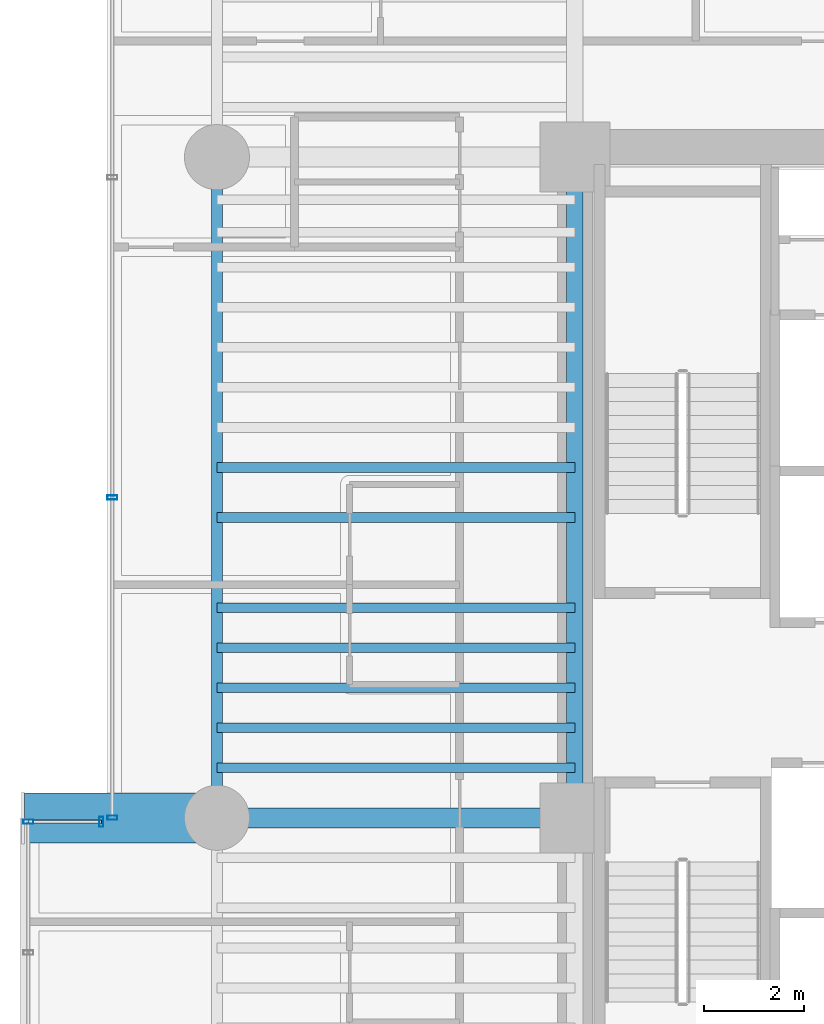
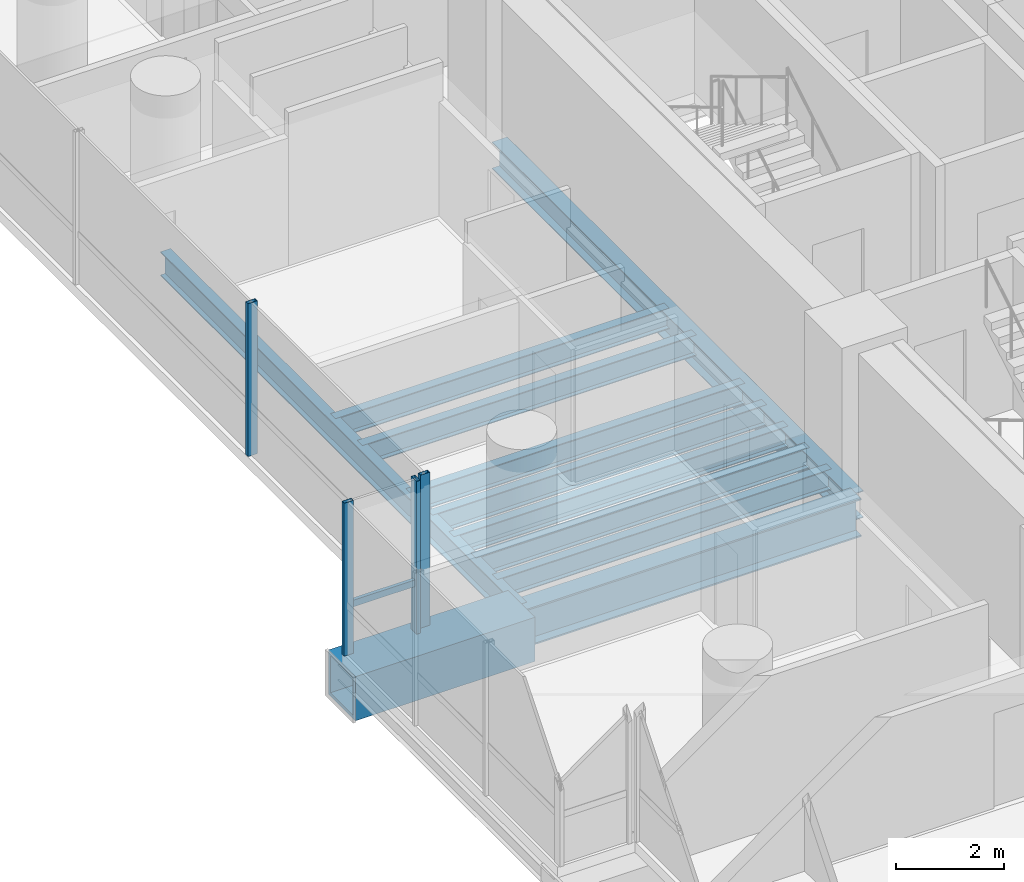
# One storey, part 8 of 41: 11 beams, 5 members, 3 elements without a shape of their own.
"""IFC4 building model written with IfcOpenShell, lengths in metres."""

from ifc_helpers import new_model, si_unit, direction, frame, origin, origin_2d, place, context, subcontext, project, spatial, hollow_rectangle, i_section, extrude, source, transform, mapped, material, material_profile, profile_set, type_object, element, aggregate, save


model = new_model("IFC4")

# Units and contexts
model_context = context("Model", 3, precision=1e-05, world=origin(), true_north=direction((0.0, 1.0)))
body_context = subcontext(model_context, "Body", "Model", "MODEL_VIEW")
ifc_project = project(units=[si_unit("LENGTHUNIT", "METRE"), si_unit("AREAUNIT", "SQUARE_METRE"), si_unit("VOLUMEUNIT", "CUBIC_METRE"), si_unit("PLANEANGLEUNIT", "RADIAN"), si_unit("MASSUNIT", "GRAM", prefix="KILO")], contexts=[model_context])

# Site, building, storey
site_placement = place(None, origin())
site = spatial("IfcSite", under=ifc_project, at=site_placement, CompositionType="ELEMENT")
building_placement = place(site_placement, origin())
building = spatial("IfcBuilding", under=site, at=building_placement, Name="Valdorenza Pilgrim Sanctuary Tower", CompositionType="ELEMENT")
storey_placement = place(building_placement, frame((0.0, 0.0, 59.300048828125)))
storey = spatial("IfcBuildingStorey", under=building, at=storey_placement, Name="L14", CompositionType="ELEMENT", Elevation=59.300048828125)

# Beams
ifc_material_1 = material(Name="Steel ASTM A992 Grade 50", Category="steel")
ifc_material_profile_1 = material_profile(ifc_material_1, i_section(OverallWidth=0.214111328125, OverallDepth=0.549072265625, WebThickness=0.0146484375, FlangeThickness=0.023681640625, at=origin_2d()), Name="W21X93")
ifc_profile_set_1 = profile_set([ifc_material_profile_1], Name="Steel ASTM A992 Grade 50")
beam_type_1 = type_object("IfcBeamType", Name="STR-BM-SPN-W21A", PredefinedType="SPANDREL", material=ifc_profile_set_1)
shared_shape_1 = source(origin(), body_context, "Body", "SweptSolid", [
    extrude(i_section(OverallWidth=0.214111328125, OverallDepth=0.549072265625, WebThickness=0.0146484375, FlangeThickness=0.023681640625, at=origin_2d()), origin(), (0.0, 0.0, 1.0), 13.2001953125),
])
beam_1_placement = place(storey_placement, frame((-29.800048828125, -2.60009765625, -0.5146484375), z_axis=(0.0, 1.0, 0.0), x_axis=(-1.0, 0.0, 0.0)))
element("IfcBeam", 1, at=beam_1_placement, inside=storey, type_object=beam_type_1, Name="L14 Spandrel Beam WA-W-M0N1", PredefinedType="SPANDREL", context=body_context, shape_type="MappedRepresentation", body=[
    mapped(shared_shape_1, transform((0.0, 0.0, 0.0), x_axis=(1.0, 0.0, 0.0), y_axis=(0.0, 1.0, 0.0), z_axis=(0.0, 0.0, 1.0), scale=1.0)),
])
ifc_material_profile_2 = material_profile(ifc_material_1, i_section(OverallWidth=0.323974609375, OverallDepth=0.611083984375, WebThickness=0.0126953125, FlangeThickness=0.01904296875, at=origin_2d()), Name="W24X104")
ifc_profile_set_2 = profile_set([ifc_material_profile_2], Name="Steel ASTM A992 Grade 50")
beam_type_2 = type_object("IfcBeamType", Name="STR-BM-GRD-W24B", PredefinedType="BEAM", material=ifc_profile_set_2)
shared_shape_2 = source(origin(), body_context, "Body", "SweptSolid", [
    extrude(i_section(OverallWidth=0.323974609375, OverallDepth=0.611083984375, WebThickness=0.0126953125, FlangeThickness=0.01904296875, at=origin_2d()), origin(), (0.0, 0.0, 1.0), 13.2001953125),
])
beam_2_placement = place(storey_placement, frame((-22.64990234375, -2.60009765625, -0.545654296875), z_axis=(0.0, 1.0, 0.0), x_axis=(-1.0, 0.0, 0.0)))
element("IfcBeam", 2, at=beam_2_placement, inside=storey, type_object=beam_type_2, Name="L14 Core Tie Girder CA-W-M0N1", PredefinedType="BEAM", context=body_context, shape_type="MappedRepresentation", body=[
    mapped(shared_shape_2, transform((0.0, 0.0, 0.0), x_axis=(1.0, 0.0, 0.0), y_axis=(0.0, 1.0, 0.0), z_axis=(0.0, 0.0, 1.0), scale=1.0)),
])
ifc_material_profile_3 = material_profile(ifc_material_1, i_section(OverallWidth=0.193115234375, OverallDepth=0.466064453125, WebThickness=0.011474609375, FlangeThickness=0.01904296875, at=origin_2d()), Name="W18X65")
ifc_profile_set_3 = profile_set([ifc_material_profile_3], Name="Steel ASTM A992 Grade 50")
beam_type_3 = type_object("IfcBeamType", Name="STR-BM-JST-W18A", PredefinedType="JOIST", material=ifc_profile_set_3)
shared_shape_3 = source(origin(), body_context, "Body", "SweptSolid", [
    extrude(i_section(OverallWidth=0.193115234375, OverallDepth=0.466064453125, WebThickness=0.011474609375, FlangeThickness=0.01904296875, at=origin_2d()), origin(), (0.0, 0.0, 1.0), 7.150146484375),
])
for number, where, z_axis, x_axis, name in (
    (3, (-29.800048828125, -1.60009765625, -0.47314453125), (1.0, 0.0, 0.0), (0.0, 1.0, 0.0), "L14 Composite Floor Joist JST-WA-10"),
    (4, (-29.800048828125, -0.800048828125, -0.47314453125), (1.0, 0.0, 0.0), (0.0, 1.0, 0.0), "L14 Composite Floor Joist JST-WA-11"),
    (5, (-29.800048828125, 0.0, -0.47314453125), (1.0, 0.0, 0.0), (0.0, 1.0, 0.0), "L14 Composite Floor Joist JST-WA-12"),
    (6, (-29.800048828125, 0.800048828125, -0.47314453125), (1.0, 0.0, 0.0), (0.0, 1.0, 0.0), "L14 Composite Floor Joist JST-WA-13"),
    (7, (-29.800048828125, 1.60009765625, -0.47314453125), (1.0, 0.0, 0.0), (0.0, 1.0, 0.0), "L14 Composite Floor Joist JST-WA-14"),
    (8, (-29.800048828125, 3.39990234375, -0.47314453125), (1.0, 0.0, 0.0), (0.0, 1.0, 0.0), "L14 Composite Floor Joist JST-WA-15"),
    (9, (-29.800048828125, 4.39990234375, -0.47314453125), (1.0, 0.0, 0.0), (0.0, 1.0, 0.0), "L14 Composite Floor Joist JST-WA-16"),
):
    element("IfcBeam", number, at=place(storey_placement, frame(where, z_axis=z_axis, x_axis=x_axis)), inside=storey, type_object=beam_type_3, Name=name, PredefinedType="JOIST", context=body_context, shape_type="MappedRepresentation", body=[
        mapped(shared_shape_3, transform((0.0, 0.0, 0.0), x_axis=(1.0, 0.0, 0.0), y_axis=(0.0, 1.0, 0.0), z_axis=(0.0, 0.0, 1.0), scale=1.0)),
    ])
ifc_material_2 = material(Name="Steel ASTM A572 Grade 42", Category="steel")
ifc_material_profile_4 = material_profile(ifc_material_2, hollow_rectangle(XDim=1.0, YDim=1.0, WallThickness=0.080078125, at=origin_2d()), Name="BOX 1000x1000x80")
ifc_profile_set_4 = profile_set([ifc_material_profile_4], Name="Steel ASTM A572 Grade 42")
beam_type_4 = type_object("IfcBeamType", Name="STR-BM-PROW-CANT", PredefinedType="BEAM", material=ifc_profile_set_4)
shared_shape_4 = source(origin(), body_context, "Body", "SweptSolid", [
    extrude(hollow_rectangle(XDim=1.0, YDim=1.0, WallThickness=0.080078125, at=origin_2d()), origin(), (0.0, 0.0, 1.0), 3.849853515625),
])
beam_3_placement = place(storey_placement, frame((-29.800048828125, -2.60009765625, -0.739990234375), z_axis=(-1.0, 0.0, 0.0), x_axis=(0.0, -1.0, 0.0)))
element("IfcBeam", 10, at=beam_3_placement, inside=storey, type_object=beam_type_4, Name="L14 Glass Box Cantilever Beam BOX-WA-L14-CT-N", PredefinedType="BEAM", context=body_context, shape_type="MappedRepresentation", body=[
    mapped(shared_shape_4, transform((0.0, 0.0, 0.0), x_axis=(1.0, 0.0, 0.0), y_axis=(0.0, 1.0, 0.0), z_axis=(0.0, 0.0, 1.0), scale=1.0)),
])
ifc_material_profile_5 = material_profile(ifc_material_1, i_section(OverallWidth=0.39990234375, OverallDepth=0.862060546875, WebThickness=0.019775390625, FlangeThickness=0.032470703125, at=origin_2d()), Name="W33X221")
ifc_profile_set_5 = profile_set([ifc_material_profile_5], Name="Steel ASTM A992 Grade 50")
beam_type_5 = type_object("IfcBeamType", Name="STR-BM-GRD-W33", PredefinedType="BEAM", material=ifc_profile_set_5)
shared_shape_5 = source(origin(), body_context, "Body", "SweptSolid", [
    extrude(i_section(OverallWidth=0.39990234375, OverallDepth=0.862060546875, WebThickness=0.019775390625, FlangeThickness=0.032470703125, at=origin_2d()), origin(), (0.0, 0.0, 1.0), 7.150146484375),
])
beam_4_placement = place(storey_placement, frame((-29.800048828125, -2.60009765625, -0.671142578125), z_axis=(1.0, 0.0, 0.0), x_axis=(0.0, 1.0, 0.0)))
element("IfcBeam", 11, at=beam_4_placement, inside=storey, type_object=beam_type_5, Name="L14 Floor Girder WA-XW-M0", PredefinedType="BEAM", context=body_context, shape_type="MappedRepresentation", body=[
    mapped(shared_shape_5, transform((0.0, 0.0, 0.0), x_axis=(1.0, 0.0, 0.0), y_axis=(0.0, 1.0, 0.0), z_axis=(0.0, 0.0, 1.0), scale=1.0)),
])

# Curtain wall, members
ifc_material_3 = material(Name="Curtain-wall IGU glazing", Category="glass")
curtain_wall_type = type_object("IfcCurtainWallType", Name="CW-SYS-02", PredefinedType="NOTDEFINED", material=ifc_material_3)
curtain_wall_1_placement = place(storey_placement, origin())
curtain_wall_1 = element("IfcCurtainWall", 12, at=curtain_wall_1_placement, inside=storey, type_object=curtain_wall_type, Name="L14 Curtain Wall CW-L14-1-1S2", PredefinedType="NOTDEFINED")
ifc_material_4 = material(Name="Anodised aluminium AW-6060", Category="aluminium")
ifc_material_profile_6 = material_profile(ifc_material_4, hollow_rectangle(XDim=0.0849609375, YDim=0.199951171875, WallThickness=0.0048828125, at=origin_2d()), Name="ALU-M 200x85x5")
ifc_profile_set_6 = profile_set([ifc_material_profile_6], Name="Anodised aluminium AW-6060")
member_type_1 = type_object("IfcMemberType", Name="CW-MUL-02", PredefinedType="MULLION", material=ifc_profile_set_6)
shared_shape_6 = source(origin(), body_context, "Body", "SweptSolid", [
    extrude(hollow_rectangle(XDim=0.0849609375, YDim=0.199951171875, WallThickness=0.0048828125, at=origin_2d()), origin(), (0.0, 0.0, 1.0), 3.4599609375),
])
member_1_placement = place(storey_placement, frame((-31.889892578125, -2.60009765625, 0.0), z_axis=(0.0, 0.0, 1.0), x_axis=(0.0, 1.0, 0.0)))
member_1 = element("IfcMember", 13, at=member_1_placement, type_object=member_type_1, Name="CW-L14-1-1S2 Mullion 1", PredefinedType="MULLION", context=body_context, shape_type="MappedRepresentation", body=[
    mapped(shared_shape_6, transform((0.0, 0.0, 0.0), x_axis=(1.0, 0.0, 0.0), y_axis=(0.0, 1.0, 0.0), z_axis=(0.0, 0.0, 1.0), scale=1.0)),
])
member_2_placement = place(storey_placement, frame((-31.889892578125, 3.798095703125, 0.0), z_axis=(0.0, 0.0, 1.0), x_axis=(0.0, 1.0, 0.0)))
member_2 = element("IfcMember", 14, at=member_2_placement, type_object=member_type_1, Name="CW-L14-1-1S2 Mullion 2", PredefinedType="MULLION", context=body_context, shape_type="MappedRepresentation", body=[
    mapped(shared_shape_6, transform((0.0, 0.0, 0.0), x_axis=(1.0, 0.0, 0.0), y_axis=(0.0, 1.0, 0.0), z_axis=(0.0, 0.0, 1.0), scale=1.0)),
])
aggregate(curtain_wall_1, [member_1, member_2])

# Curtain wall, member
curtain_wall_2_placement = place(storey_placement, origin())
curtain_wall_2 = element("IfcCurtainWall", 15, at=curtain_wall_2_placement, inside=storey, type_object=curtain_wall_type, Name="L14 Curtain Wall CW-L14-BOX-WA-L14-F", PredefinedType="NOTDEFINED")
member_3_placement = place(storey_placement, frame((-33.570068359375, -2.679931640625, 0.0), z_axis=(0.0, 0.0, 1.0), x_axis=(0.0, 1.0, 0.0)))
member_3 = element("IfcMember", 16, at=member_3_placement, type_object=member_type_1, Name="CW-L14-BOX-WA-L14-F Mullion 4", PredefinedType="MULLION", context=body_context, shape_type="MappedRepresentation", body=[
    mapped(shared_shape_6, transform((0.0, 0.0, 0.0), x_axis=(1.0, 0.0, 0.0), y_axis=(0.0, 1.0, 0.0), z_axis=(0.0, 0.0, 1.0), scale=1.0)),
])
aggregate(curtain_wall_2, [member_3])

# Curtain wall, members
curtain_wall_3_placement = place(storey_placement, origin())
curtain_wall_3 = element("IfcCurtainWall", 17, at=curtain_wall_3_placement, inside=storey, type_object=curtain_wall_type, Name="L14 Curtain Wall CW-L14-BOX-WA-L14-N", PredefinedType="NOTDEFINED")
member_4_placement = place(storey_placement, frame((-32.110107421875, -2.679931640625, 0.0), z_axis=(0.0, 0.0, 1.0), x_axis=(1.0, 0.0, 0.0)))
member_4 = element("IfcMember", 18, at=member_4_placement, type_object=member_type_1, Name="CW-L14-BOX-WA-L14-N Mullion 2", PredefinedType="MULLION", context=body_context, shape_type="MappedRepresentation", body=[
    mapped(shared_shape_6, transform((0.0, 0.0, 0.0), x_axis=(1.0, 0.0, 0.0), y_axis=(0.0, 1.0, 0.0), z_axis=(0.0, 0.0, 1.0), scale=1.0)),
])
ifc_material_profile_7 = material_profile(ifc_material_4, hollow_rectangle(XDim=0.074951171875, YDim=0.14990234375, WallThickness=0.00390625, at=origin_2d()), Name="ALU-T 150x75x4")
ifc_profile_set_7 = profile_set([ifc_material_profile_7], Name="Anodised aluminium AW-6060")
member_type_2 = type_object("IfcMemberType", Name="CW-TRN-02", PredefinedType="USERDEFINED", material=ifc_profile_set_7)
shared_shape_7 = source(origin(), body_context, "Body", "SweptSolid", [
    extrude(hollow_rectangle(XDim=0.074951171875, YDim=0.14990234375, WallThickness=0.00390625, at=origin_2d()), origin(), (0.0, 0.0, 1.0), 1.4599609375),
])
member_5_placement = place(storey_placement, frame((-33.570068359375, -2.679931640625, 1.119873046875), z_axis=(1.0, 0.0, 0.0), x_axis=(0.0, 1.0, 0.0)))
member_5 = element("IfcMember", 19, at=member_5_placement, type_object=member_type_2, Name="CW-L14-BOX-WA-L14-N Transom 1", ObjectType="TRANSOM", PredefinedType="USERDEFINED", context=body_context, shape_type="MappedRepresentation", body=[
    mapped(shared_shape_7, transform((0.0, 0.0, 0.0), x_axis=(1.0, 0.0, 0.0), y_axis=(0.0, 1.0, 0.0), z_axis=(0.0, 0.0, 1.0), scale=1.0)),
])
aggregate(curtain_wall_3, [member_4, member_5])

save(model, "model.ifc")
